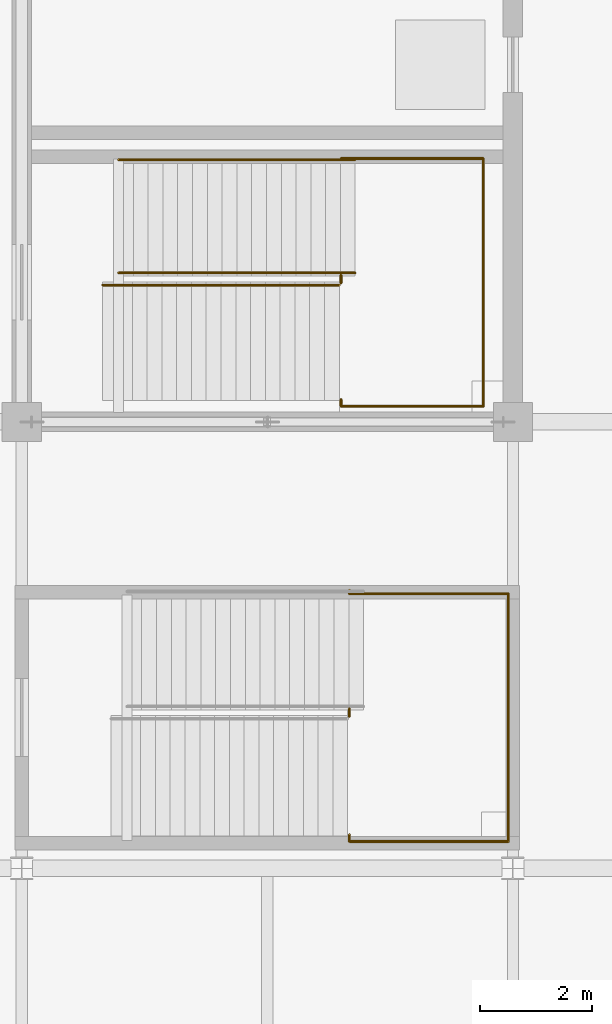
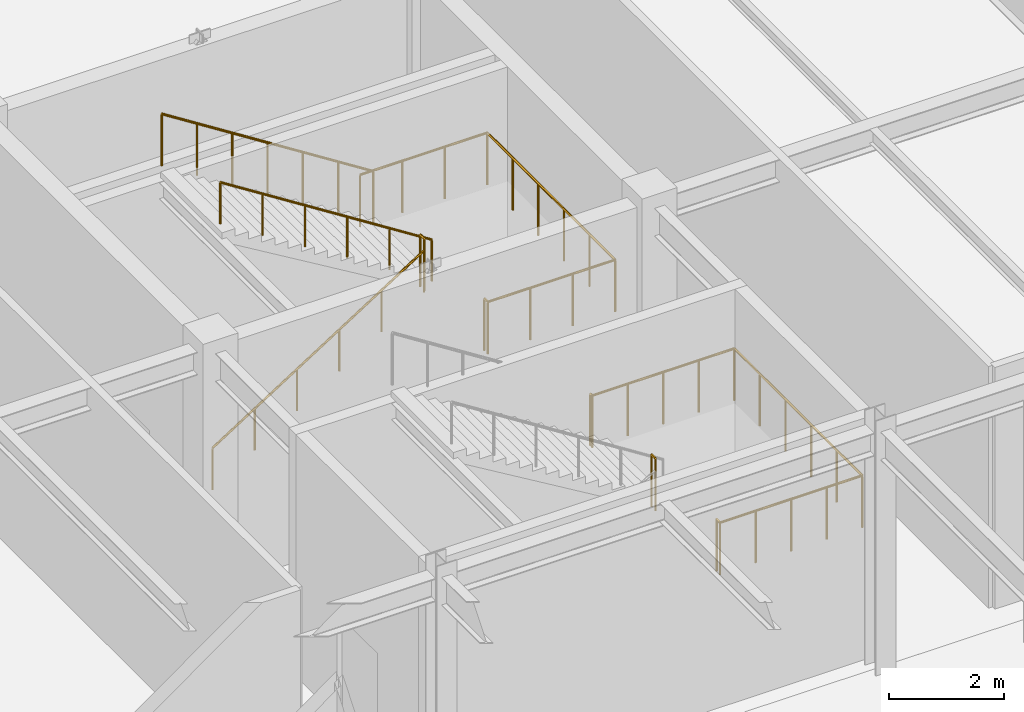
# One storey, part 109 of 119: 7 railings.
"""IFC4 building model written with IfcOpenShell, lengths in metres."""

from ifc_helpers import new_model, si_unit, direction, frame, origin, origin_2d, place, context, subcontext, project, spatial, circle, extrude, material, type_object, element, save


model = new_model("IFC4")

# Units and contexts
model_context = context("Model", 3, precision=1e-05, world=origin(), true_north=direction((0.0, 1.0)))
body_context = subcontext(model_context, "Body", "Model", "MODEL_VIEW")
ifc_project = project(units=[si_unit("LENGTHUNIT", "METRE"), si_unit("AREAUNIT", "SQUARE_METRE"), si_unit("VOLUMEUNIT", "CUBIC_METRE"), si_unit("PLANEANGLEUNIT", "RADIAN"), si_unit("MASSUNIT", "GRAM", prefix="KILO")], contexts=[model_context])

# Site, building, storey
site_placement = place(None, origin())
site = spatial("IfcSite", under=ifc_project, at=site_placement, CompositionType="ELEMENT")
building_placement = place(site_placement, origin())
building = spatial("IfcBuilding", under=site, at=building_placement, Name="Zhaolan Boulevard Law Courts", CompositionType="ELEMENT")
storey_placement = place(building_placement, origin())
storey = spatial("IfcBuildingStorey", under=building, at=storey_placement, Name="L00", CompositionType="ELEMENT", Elevation=0.0)

# Railings
ifc_material_1 = material(Name="Brushed stainless steel tubular handrail", Category="steel")
railing_type_1 = type_object("IfcRailingType", Name="STAIR HANDRAIL 900", PredefinedType="HANDRAIL", material=ifc_material_1)
railing_1_placement = place(storey_placement, frame((19.050048828125, 88.449951171875, 0.0)))
element("IfcRailing", 1, at=railing_1_placement, inside=storey, type_object=railing_type_1, Name="Stair Handrail HR-ST10-L00-1", PredefinedType="HANDRAIL", context=body_context, shape_type="SweptSolid", body=[
    extrude(circle(Radius=0.0224609375, at=origin_2d()), frame((0.0, 0.0, 0.87744140625), z_axis=(0.843501457581, 0.0, 0.537126885437), x_axis=(0.0, 1.0, 0.0)), (0.0, 0.0, 1.0), 5.026611328125),
    extrude(circle(Radius=0.01904296875, at=origin_2d()), origin(), (0.0, 0.0, 1.0), 0.85498046875),
    extrude(circle(Radius=0.01904296875, at=origin_2d()), frame((0.847900390625, 0.0, 0.5400390625)), (0.0, 0.0, 1.0), 0.85498046875),
    extrude(circle(Radius=0.01904296875, at=origin_2d()), frame((1.696044921875, 0.0, 1.080078125)), (0.0, 0.0, 1.0), 0.85498046875),
    extrude(circle(Radius=0.01904296875, at=origin_2d()), frame((2.5439453125, 0.0, 1.619873046875)), (0.0, 0.0, 1.0), 0.85498046875),
    extrude(circle(Radius=0.01904296875, at=origin_2d()), frame((3.39208984375, 0.0, 2.159912109375)), (0.0, 0.0, 1.0), 0.85498046875),
    extrude(circle(Radius=0.01904296875, at=origin_2d()), frame((4.239990234375, 0.0, 2.699951171875)), (0.0, 0.0, 1.0), 0.85498046875),
])
railing_2_placement = place(storey_placement, frame((23.574951171875, 88.669921875, 2.699951171875)))
element("IfcRailing", 2, at=railing_2_placement, inside=storey, type_object=railing_type_1, Name="Stair Handrail HR-ST10-L00-2", PredefinedType="HANDRAIL", context=body_context, shape_type="SweptSolid", body=[
    extrude(circle(Radius=0.0224609375, at=origin_2d()), frame((0.0, 0.0, 0.87744140625), z_axis=(-0.843501457581, 0.0, 0.537126885437), x_axis=(0.0, -1.0, 0.0)), (0.0, 0.0, 1.0), 5.026611328125),
    extrude(circle(Radius=0.01904296875, at=origin_2d()), origin(), (0.0, 0.0, 1.0), 0.85498046875),
    extrude(circle(Radius=0.01904296875, at=origin_2d()), frame((-0.847900390625, 0.0, 0.5400390625)), (0.0, 0.0, 1.0), 0.85498046875),
    extrude(circle(Radius=0.01904296875, at=origin_2d()), frame((-1.696044921875, 0.0, 1.080078125)), (0.0, 0.0, 1.0), 0.85498046875),
    extrude(circle(Radius=0.01904296875, at=origin_2d()), frame((-2.5439453125, 0.0, 1.619873046875)), (0.0, 0.0, 1.0), 0.85498046875),
    extrude(circle(Radius=0.01904296875, at=origin_2d()), frame((-3.39208984375, 0.0, 2.159912109375)), (0.0, 0.0, 1.0), 0.85498046875),
    extrude(circle(Radius=0.01904296875, at=origin_2d()), frame((-4.239990234375, 0.0, 2.699951171875)), (0.0, 0.0, 1.0), 0.85498046875),
])
ifc_material_2 = material(Name="Powder-coated steel baluster guardrail", Category="steel")
railing_type_2 = type_object("IfcRailingType", Name="STAIR WELL GUARDRAIL 1120", PredefinedType="GUARDRAIL", material=ifc_material_2)
railing_3_placement = place(storey_placement, frame((23.320068359375, 86.39990234375, 2.699951171875)))
element("IfcRailing", 3, at=railing_3_placement, inside=storey, type_object=railing_type_2, Name="Half-Landing Guardrail SG-ST10-L00-M", PredefinedType="GUARDRAIL", context=body_context, shape_type="SweptSolid", body=[
    extrude(circle(Radius=0.02392578125, at=origin_2d()), frame((0.0, 0.0, 1.09619140625), z_axis=(0.0, -1.0, 0.0), x_axis=(1.0, 0.0, 0.0)), (0.0, 0.0, 1.0), 0.119873046875),
    extrude(circle(Radius=0.02392578125, at=origin_2d()), frame((0.0, -0.119873046875, 1.09619140625), z_axis=(1.0, 0.0, 0.0), x_axis=(0.0, 1.0, 0.0)), (0.0, 0.0, 1.0), 2.550048828125),
    extrude(circle(Radius=0.02392578125, at=origin_2d()), frame((2.550048828125, -0.119873046875, 1.09619140625), z_axis=(0.0, 1.0, 0.0), x_axis=(-1.0, 0.0, 0.0)), (0.0, 0.0, 1.0), 4.43994140625),
    extrude(circle(Radius=0.02392578125, at=origin_2d()), frame((2.550048828125, 4.320068359375, 1.09619140625), z_axis=(-1.0, 0.0, 0.0), x_axis=(0.0, -1.0, 0.0)), (0.0, 0.0, 1.0), 2.550048828125),
    extrude(circle(Radius=0.02099609375, at=origin_2d()), origin(), (0.0, 0.0, 1.0), 1.072021484375),
    extrude(circle(Radius=0.02099609375, at=origin_2d()), frame((0.0, -0.119873046875, 0.0)), (0.0, 0.0, 1.0), 1.072021484375),
    extrude(circle(Radius=0.02099609375, at=origin_2d()), frame((0.85009765625, -0.119873046875, 0.0)), (0.0, 0.0, 1.0), 1.072021484375),
    extrude(circle(Radius=0.02099609375, at=origin_2d()), frame((1.699951171875, -0.119873046875, 0.0)), (0.0, 0.0, 1.0), 1.072021484375),
    extrude(circle(Radius=0.02099609375, at=origin_2d()), frame((2.550048828125, -0.119873046875, 0.0)), (0.0, 0.0, 1.0), 1.072021484375),
    extrude(circle(Radius=0.02099609375, at=origin_2d()), frame((2.550048828125, 0.76806640625, 0.0)), (0.0, 0.0, 1.0), 1.072021484375),
    extrude(circle(Radius=0.02099609375, at=origin_2d()), frame((2.550048828125, 1.656005859375, 0.0)), (0.0, 0.0, 1.0), 1.072021484375),
    extrude(circle(Radius=0.02099609375, at=origin_2d()), frame((2.550048828125, 2.544189453125, 0.0)), (0.0, 0.0, 1.0), 1.072021484375),
    extrude(circle(Radius=0.02099609375, at=origin_2d()), frame((2.550048828125, 3.43212890625, 0.0)), (0.0, 0.0, 1.0), 1.072021484375),
    extrude(circle(Radius=0.02099609375, at=origin_2d()), frame((2.550048828125, 4.320068359375, 0.0)), (0.0, 0.0, 1.0), 1.072021484375),
    extrude(circle(Radius=0.02099609375, at=origin_2d()), frame((1.699951171875, 4.320068359375, 0.0)), (0.0, 0.0, 1.0), 1.072021484375),
    extrude(circle(Radius=0.02099609375, at=origin_2d()), frame((0.85009765625, 4.320068359375, 0.0)), (0.0, 0.0, 1.0), 1.072021484375),
    extrude(circle(Radius=0.02099609375, at=origin_2d()), frame((0.0, 4.320068359375, 0.0)), (0.0, 0.0, 1.0), 1.072021484375),
])
railing_4_placement = place(storey_placement, frame((23.320068359375, 88.489990234375, 2.699951171875)))
element("IfcRailing", 4, at=railing_4_placement, inside=storey, type_object=railing_type_2, Name="Half-Landing Well Guardrail SG-ST10-L00-W", PredefinedType="GUARDRAIL", context=body_context, shape_type="SweptSolid", body=[
    extrude(circle(Radius=0.02392578125, at=origin_2d()), frame((0.0, 0.0, 1.09619140625), z_axis=(0.0, 1.0, 0.0), x_axis=(-1.0, 0.0, 0.0)), (0.0, 0.0, 1.0), 0.139892578125),
    extrude(circle(Radius=0.02099609375, at=origin_2d()), origin(), (0.0, 0.0, 1.0), 1.072021484375),
    extrude(circle(Radius=0.02099609375, at=origin_2d()), frame((0.0, 0.139892578125, 0.0)), (0.0, 0.0, 1.0), 1.072021484375),
])
railing_5_placement = place(storey_placement, frame((23.574951171875, 90.699951171875, 2.699951171875)))
element("IfcRailing", 5, at=railing_5_placement, inside=storey, type_object=railing_type_2, Name="Flight Guardrail SG-ST10-L00-F2", PredefinedType="GUARDRAIL", context=body_context, shape_type="SweptSolid", body=[
    extrude(circle(Radius=0.02392578125, at=origin_2d()), frame((0.0, 0.0, 1.09619140625), z_axis=(-0.843501457581, 0.0, 0.537126885437), x_axis=(0.0, -1.0, 0.0)), (0.0, 0.0, 1.0), 5.026611328125),
    extrude(circle(Radius=0.02099609375, at=origin_2d()), origin(), (0.0, 0.0, 1.0), 1.072021484375),
    extrude(circle(Radius=0.02099609375, at=origin_2d()), frame((-0.70654296875, 0.0, 0.449951171875)), (0.0, 0.0, 1.0), 1.072021484375),
    extrude(circle(Radius=0.02099609375, at=origin_2d()), frame((-1.413330078125, 0.0, 0.89990234375)), (0.0, 0.0, 1.0), 1.072021484375),
    extrude(circle(Radius=0.02099609375, at=origin_2d()), frame((-2.1201171875, 0.0, 1.35009765625)), (0.0, 0.0, 1.0), 1.072021484375),
    extrude(circle(Radius=0.02099609375, at=origin_2d()), frame((-2.82666015625, 0.0, 1.800048828125)), (0.0, 0.0, 1.0), 1.072021484375),
    extrude(circle(Radius=0.02099609375, at=origin_2d()), frame((-3.533203125, 0.0, 2.25)), (0.0, 0.0, 1.0), 1.072021484375),
    extrude(circle(Radius=0.02099609375, at=origin_2d()), frame((-4.239990234375, 0.0, 2.699951171875)), (0.0, 0.0, 1.0), 1.072021484375),
])
railing_6_placement = place(storey_placement, frame((23.469970703125, 78.60009765625, 2.699951171875)))
element("IfcRailing", 6, at=railing_6_placement, inside=storey, type_object=railing_type_2, Name="Half-Landing Guardrail SG-ST12-L00-M", PredefinedType="GUARDRAIL", context=body_context, shape_type="SweptSolid", body=[
    extrude(circle(Radius=0.02392578125, at=origin_2d()), frame((0.0, 0.0, 1.09619140625), z_axis=(0.0, -1.0, 0.0), x_axis=(1.0, 0.0, 0.0)), (0.0, 0.0, 1.0), 0.1201171875),
    extrude(circle(Radius=0.02392578125, at=origin_2d()), frame((0.0, -0.1201171875, 1.09619140625), z_axis=(1.0, 0.0, 0.0), x_axis=(0.0, 1.0, 0.0)), (0.0, 0.0, 1.0), 2.85009765625),
    extrude(circle(Radius=0.02392578125, at=origin_2d()), frame((2.85009765625, -0.1201171875, 1.09619140625), z_axis=(0.0, 1.0, 0.0), x_axis=(-1.0, 0.0, 0.0)), (0.0, 0.0, 1.0), 4.43994140625),
    extrude(circle(Radius=0.02392578125, at=origin_2d()), frame((2.85009765625, 4.31982421875, 1.09619140625), z_axis=(-1.0, 0.0, 0.0), x_axis=(0.0, -1.0, 0.0)), (0.0, 0.0, 1.0), 2.85009765625),
    extrude(circle(Radius=0.02392578125, at=origin_2d()), frame((0.0, 4.31982421875, 1.09619140625), z_axis=(0.0, 1.0, 0.0), x_axis=(-1.0, 0.0, 0.0)), (0.0, 0.0, 1.0), 0.06005859375),
    extrude(circle(Radius=0.02099609375, at=origin_2d()), origin(), (0.0, 0.0, 1.0), 1.072021484375),
    extrude(circle(Radius=0.02099609375, at=origin_2d()), frame((0.0, -0.1201171875, 0.0)), (0.0, 0.0, 1.0), 1.072021484375),
    extrude(circle(Radius=0.02099609375, at=origin_2d()), frame((0.71240234375, -0.1201171875, 0.0)), (0.0, 0.0, 1.0), 1.072021484375),
    extrude(circle(Radius=0.02099609375, at=origin_2d()), frame((1.425048828125, -0.1201171875, 0.0)), (0.0, 0.0, 1.0), 1.072021484375),
    extrude(circle(Radius=0.02099609375, at=origin_2d()), frame((2.1376953125, -0.1201171875, 0.0)), (0.0, 0.0, 1.0), 1.072021484375),
    extrude(circle(Radius=0.02099609375, at=origin_2d()), frame((2.85009765625, -0.1201171875, 0.0)), (0.0, 0.0, 1.0), 1.072021484375),
    extrude(circle(Radius=0.02099609375, at=origin_2d()), frame((2.85009765625, 0.767822265625, 0.0)), (0.0, 0.0, 1.0), 1.072021484375),
    extrude(circle(Radius=0.02099609375, at=origin_2d()), frame((2.85009765625, 1.65576171875, 0.0)), (0.0, 0.0, 1.0), 1.072021484375),
    extrude(circle(Radius=0.02099609375, at=origin_2d()), frame((2.85009765625, 2.5439453125, 0.0)), (0.0, 0.0, 1.0), 1.072021484375),
    extrude(circle(Radius=0.02099609375, at=origin_2d()), frame((2.85009765625, 3.431884765625, 0.0)), (0.0, 0.0, 1.0), 1.072021484375),
    extrude(circle(Radius=0.02099609375, at=origin_2d()), frame((2.85009765625, 4.31982421875, 0.0)), (0.0, 0.0, 1.0), 1.072021484375),
    extrude(circle(Radius=0.02099609375, at=origin_2d()), frame((2.1376953125, 4.31982421875, 0.0)), (0.0, 0.0, 1.0), 1.072021484375),
    extrude(circle(Radius=0.02099609375, at=origin_2d()), frame((1.425048828125, 4.31982421875, 0.0)), (0.0, 0.0, 1.0), 1.072021484375),
    extrude(circle(Radius=0.02099609375, at=origin_2d()), frame((0.71240234375, 4.31982421875, 0.0)), (0.0, 0.0, 1.0), 1.072021484375),
    extrude(circle(Radius=0.02099609375, at=origin_2d()), frame((0.0, 4.31982421875, 0.0)), (0.0, 0.0, 1.0), 1.072021484375),
    extrude(circle(Radius=0.02099609375, at=origin_2d()), frame((0.0, 4.3798828125, 0.0)), (0.0, 0.0, 1.0), 1.072021484375),
])
railing_7_placement = place(storey_placement, frame((23.469970703125, 80.719970703125, 2.699951171875)))
element("IfcRailing", 7, at=railing_7_placement, inside=storey, type_object=railing_type_2, Name="Half-Landing Well Guardrail SG-ST12-L00-W", PredefinedType="GUARDRAIL", context=body_context, shape_type="SweptSolid", body=[
    extrude(circle(Radius=0.02392578125, at=origin_2d()), frame((0.0, 0.0, 1.09619140625), z_axis=(0.0, 1.0, 0.0), x_axis=(-1.0, 0.0, 0.0)), (0.0, 0.0, 1.0), 0.14013671875),
    extrude(circle(Radius=0.02099609375, at=origin_2d()), origin(), (0.0, 0.0, 1.0), 1.072021484375),
    extrude(circle(Radius=0.02099609375, at=origin_2d()), frame((0.0, 0.14013671875, 0.0)), (0.0, 0.0, 1.0), 1.072021484375),
])

save(model, "model.ifc")
